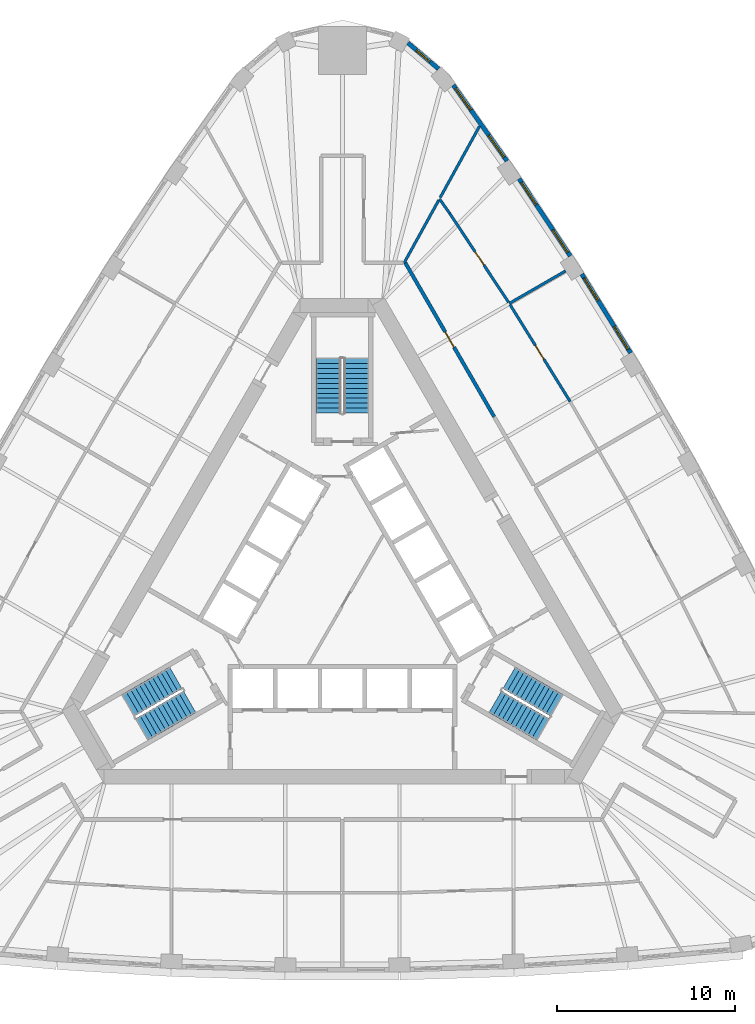
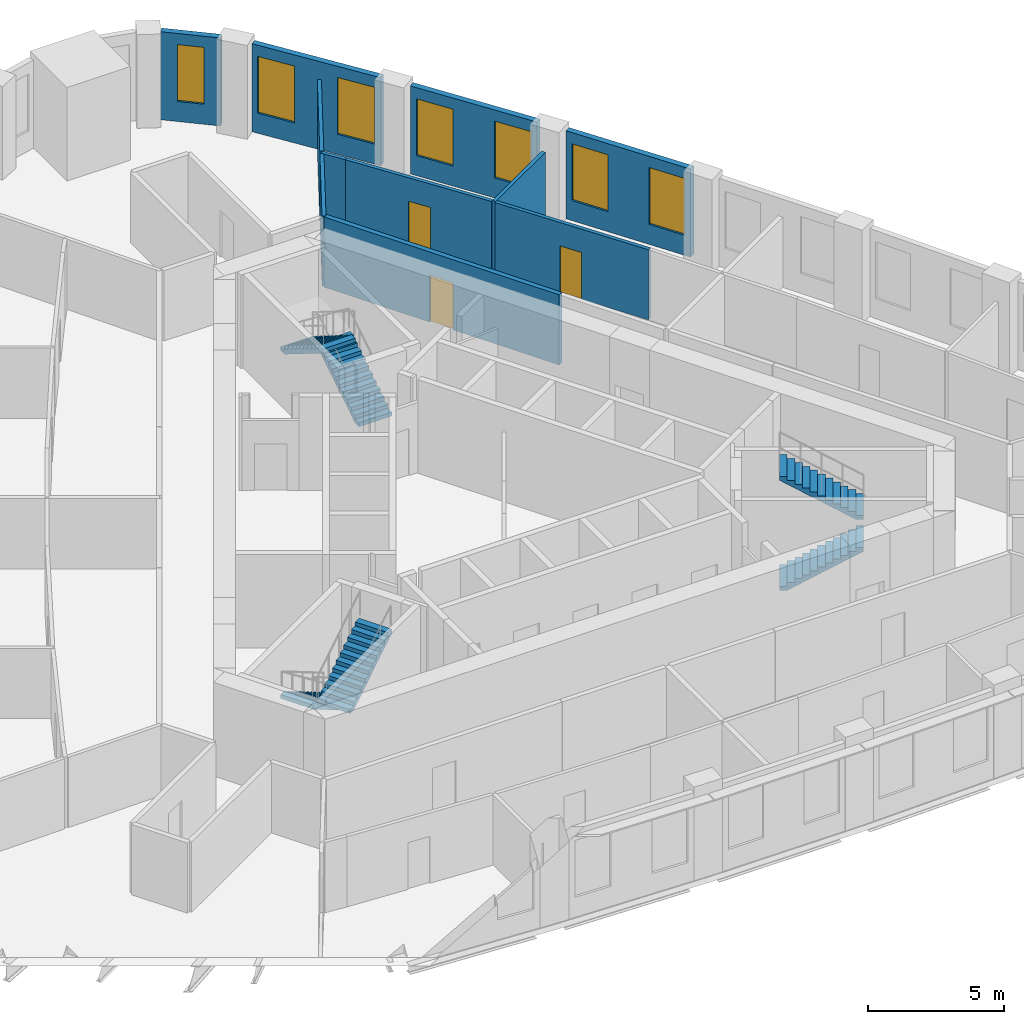
# One storey, part 9 of 10: 11 walls, 7 windows, 6 stair flights, 3 doors, 10 openings, 3 elements without a shape of their own.
"""IFC4 building model written with IfcOpenShell, lengths in metres."""

from ifc_helpers import new_model, si_unit, direction, frame, frame_2d, origin, place, context, subcontext, project, spatial, polyline, rectangle, outline, extrude, material, layer, layer_set, type_object, element, fill, aggregate, save


model = new_model("IFC4")

# Units and contexts
model_context = context("Model", 3, precision=1e-05, world=origin(), true_north=direction((0.0, 1.0)))
body_context = subcontext(model_context, "Body", "Model", "MODEL_VIEW")
ifc_project = project(units=[si_unit("LENGTHUNIT", "METRE"), si_unit("AREAUNIT", "SQUARE_METRE"), si_unit("VOLUMEUNIT", "CUBIC_METRE"), si_unit("PLANEANGLEUNIT", "RADIAN"), si_unit("MASSUNIT", "GRAM", prefix="KILO")], contexts=[model_context])

# Site, building, storey
site_placement = place(None, origin())
site = spatial("IfcSite", under=ifc_project, at=site_placement, CompositionType="ELEMENT")
building_placement = place(site_placement, origin())
building = spatial("IfcBuilding", under=site, at=building_placement, Name="Mestral Congress Tower", CompositionType="ELEMENT")
storey_placement = place(building_placement, frame((0.0, 0.0, 154.199951171875)))
storey = spatial("IfcBuildingStorey", under=building, at=storey_placement, Name="L36", CompositionType="ELEMENT", Elevation=154.199951171875)

# Wall, openings, windows
ifc_material_1 = material(Name="Precast concrete C40/50 with limestone facing", Category="masonry")
ifc_layer_1 = layer(ifc_material_1, 0.239990234375)
ifc_layer_set_1 = layer_set([ifc_layer_1], Name="Precast concrete C40/50 with limestone facing")
wall_type_1 = type_object("IfcWallType", Name="Facade stone wall 240", PredefinedType="SOLIDWALL", material=ifc_layer_set_1)
wall_1_placement = place(storey_placement, frame((16.170654296875, 13.731201171875, 0.0), z_axis=(0.0, 0.0, 1.0), x_axis=(-0.526197926587, 0.850362124072, 0.0)))
wall_1 = element("IfcWall", 1, at=wall_1_placement, inside=storey, type_object=wall_type_1, Name="Facade wall F1-04", PredefinedType="SOLIDWALL", context=body_context, shape_type="SweptSolid", body=[
    extrude(rectangle(XDim=5.203369140625, YDim=0.239990234375, at=frame_2d((2.6015625, 0.0))), origin(), (0.0, 0.0, 1.0), 3.949951171875),
])
opening_1_placement = place(wall_1_placement, frame((0.248291015625, 0.0, 0.89990234375)))
opening_1 = element("IfcOpeningElement", 2, at=opening_1_placement, cuts=wall_1, Name="Opening W4", PredefinedType="OPENING", context=body_context, shape_type="SweptSolid", body=[
    extrude(rectangle(XDim=1.5, YDim=2.550048828125, at=frame_2d((0.75, 1.27490234375))), frame((0.0, 0.1298828125, 0.0), z_axis=(0.0, -1.0, 0.0), x_axis=(1.0, 0.0, 0.0)), (0.0, 0.0, 1.0), 0.260009765625),
])
opening_2_placement = place(wall_1_placement, frame((3.455078125, 0.0, 0.89990234375)))
opening_2 = element("IfcOpeningElement", 3, at=opening_2_placement, cuts=wall_1, Name="Opening W4", PredefinedType="OPENING", context=body_context, shape_type="SweptSolid", body=[
    extrude(rectangle(XDim=1.5, YDim=2.550048828125, at=frame_2d((0.75, 1.27490234375))), frame((0.0, 0.1298828125, 0.0), z_axis=(0.0, -1.0, 0.0), x_axis=(1.0, 0.0, 0.0)), (0.0, 0.0, 1.0), 0.260009765625),
])
ifc_material_2 = material(Name="Clear low-emissivity double glazing", Category="glass")
window_type_1 = type_object("IfcWindowType", Name="Facade punched window 1500 x 2550 sill 900", PartitioningType="SINGLE_PANEL", PredefinedType="WINDOW", material=ifc_material_2)
window_1_placement = place(opening_1_placement, origin())
window_1 = element("IfcWindow", 4, at=window_1_placement, inside=storey, type_object=window_type_1, Name="Window F1-04a", OverallHeight=2.550048828125, OverallWidth=1.5, PartitioningType="SINGLE_PANEL", PredefinedType="WINDOW", context=body_context, shape_type="SweptSolid", body=[
    extrude(rectangle(XDim=1.5, YDim=2.550048828125, at=frame_2d((0.75, 1.27490234375))), frame((0.0, 0.0400390625, 0.0), z_axis=(0.0, -1.0, 0.0), x_axis=(1.0, 0.0, 0.0)), (0.0, 0.0, 1.0), 0.06005859375),
])
fill(opening_1, window_1)
window_2_placement = place(opening_2_placement, origin())
window_2 = element("IfcWindow", 5, at=window_2_placement, inside=storey, type_object=window_type_1, Name="Window F1-04b", OverallHeight=2.550048828125, OverallWidth=1.5, PartitioningType="SINGLE_PANEL", PredefinedType="WINDOW", context=body_context, shape_type="SweptSolid", body=[
    extrude(rectangle(XDim=1.5, YDim=2.550048828125, at=frame_2d((0.75, 1.27490234375))), frame((0.0, 0.0400390625, 0.0), z_axis=(0.0, -1.0, 0.0), x_axis=(1.0, 0.0, 0.0)), (0.0, 0.0, 1.0), 0.06005859375),
])
fill(opening_2, window_2)

wall_2_placement = place(storey_placement, frame((12.783203125, 19.170654296875, 0.0), z_axis=(0.0, 0.0, 1.0), x_axis=(-0.551892811511, 0.833915058386, 0.0)))
wall_2 = element("IfcWall", 6, at=wall_2_placement, inside=storey, type_object=wall_type_1, Name="Facade wall F1-05", PredefinedType="SOLIDWALL", context=body_context, shape_type="SweptSolid", body=[
    extrude(rectangle(XDim=5.20361328125, YDim=0.239990234375, at=frame_2d((2.601806640625, 0.0))), origin(), (0.0, 0.0, 1.0), 3.949951171875),
])
opening_3_placement = place(wall_2_placement, frame((0.248291015625, 0.0, 0.89990234375)))
opening_3 = element("IfcOpeningElement", 7, at=opening_3_placement, cuts=wall_2, Name="Opening W4", PredefinedType="OPENING", context=body_context, shape_type="SweptSolid", body=[
    extrude(rectangle(XDim=1.5, YDim=2.550048828125, at=frame_2d((0.75, 1.27490234375))), frame((0.0, 0.1298828125, 0.0), z_axis=(0.0, -1.0, 0.0), x_axis=(1.0, 0.0, 0.0)), (0.0, 0.0, 1.0), 0.260009765625),
])
opening_4_placement = place(wall_2_placement, frame((3.455078125, 0.0, 0.89990234375)))
opening_4 = element("IfcOpeningElement", 8, at=opening_4_placement, cuts=wall_2, Name="Opening W4", PredefinedType="OPENING", context=body_context, shape_type="SweptSolid", body=[
    extrude(rectangle(XDim=1.5, YDim=2.550048828125, at=frame_2d((0.75, 1.27490234375))), frame((0.0, 0.1298828125, 0.0), z_axis=(0.0, -1.0, 0.0), x_axis=(1.0, 0.0, 0.0)), (0.0, 0.0, 1.0), 0.260009765625),
])
window_3_placement = place(opening_3_placement, origin())
window_3 = element("IfcWindow", 9, at=window_3_placement, inside=storey, type_object=window_type_1, Name="Window F1-05a", OverallHeight=2.550048828125, OverallWidth=1.5, PartitioningType="SINGLE_PANEL", PredefinedType="WINDOW", context=body_context, shape_type="SweptSolid", body=[
    extrude(rectangle(XDim=1.5, YDim=2.550048828125, at=frame_2d((0.75, 1.27490234375))), frame((0.0, 0.0400390625, 0.0), z_axis=(0.0, -1.0, 0.0), x_axis=(1.0, 0.0, 0.0)), (0.0, 0.0, 1.0), 0.06005859375),
])
fill(opening_3, window_3)
window_4_placement = place(opening_4_placement, origin())
window_4 = element("IfcWindow", 10, at=window_4_placement, inside=storey, type_object=window_type_1, Name="Window F1-05b", OverallHeight=2.550048828125, OverallWidth=1.5, PartitioningType="SINGLE_PANEL", PredefinedType="WINDOW", context=body_context, shape_type="SweptSolid", body=[
    extrude(rectangle(XDim=1.5, YDim=2.550048828125, at=frame_2d((0.75, 1.27490234375))), frame((0.0, 0.0400390625, 0.0), z_axis=(0.0, -1.0, 0.0), x_axis=(1.0, 0.0, 0.0)), (0.0, 0.0, 1.0), 0.06005859375),
])
fill(opening_4, window_4)

wall_3_placement = place(storey_placement, frame((9.231201171875, 24.50439453125, 0.0), z_axis=(0.0, 0.0, 1.0), x_axis=(-0.577115207679, 0.816662743772, 0.0)))
wall_3 = element("IfcWall", 11, at=wall_3_placement, inside=storey, type_object=wall_type_1, Name="Facade wall F1-06", PredefinedType="SOLIDWALL", context=body_context, shape_type="SweptSolid", body=[
    extrude(rectangle(XDim=5.213134765625, YDim=0.239990234375, at=frame_2d((2.6064453125, 0.0))), origin(), (0.0, 0.0, 1.0), 3.949951171875),
])
opening_5_placement = place(wall_3_placement, frame((0.2607421875, 0.0, 0.89990234375)))
opening_5 = element("IfcOpeningElement", 12, at=opening_5_placement, cuts=wall_3, Name="Opening W4", PredefinedType="OPENING", context=body_context, shape_type="SweptSolid", body=[
    extrude(rectangle(XDim=1.5, YDim=2.550048828125, at=frame_2d((0.75, 1.27490234375))), frame((0.0, 0.1298828125, 0.0), z_axis=(0.0, -1.0, 0.0), x_axis=(1.0, 0.0, 0.0)), (0.0, 0.0, 1.0), 0.260009765625),
])
opening_6_placement = place(wall_3_placement, frame((3.492431640625, 0.0, 0.89990234375)))
opening_6 = element("IfcOpeningElement", 13, at=opening_6_placement, cuts=wall_3, Name="Opening W4", PredefinedType="OPENING", context=body_context, shape_type="SweptSolid", body=[
    extrude(rectangle(XDim=1.5, YDim=2.550048828125, at=frame_2d((0.75, 1.27490234375))), frame((0.0, 0.1298828125, 0.0), z_axis=(0.0, -1.0, 0.0), x_axis=(1.0, 0.0, 0.0)), (0.0, 0.0, 1.0), 0.260009765625),
])
window_5_placement = place(opening_5_placement, origin())
window_5 = element("IfcWindow", 14, at=window_5_placement, inside=storey, type_object=window_type_1, Name="Window F1-06a", OverallHeight=2.550048828125, OverallWidth=1.5, PartitioningType="SINGLE_PANEL", PredefinedType="WINDOW", context=body_context, shape_type="SweptSolid", body=[
    extrude(rectangle(XDim=1.5, YDim=2.550048828125, at=frame_2d((0.75, 1.27490234375))), frame((0.0, 0.0400390625, 0.0), z_axis=(0.0, -1.0, 0.0), x_axis=(1.0, 0.0, 0.0)), (0.0, 0.0, 1.0), 0.06005859375),
])
fill(opening_5, window_5)
window_6_placement = place(opening_6_placement, origin())
window_6 = element("IfcWindow", 15, at=window_6_placement, inside=storey, type_object=window_type_1, Name="Window F1-06b", OverallHeight=2.550048828125, OverallWidth=1.5, PartitioningType="SINGLE_PANEL", PredefinedType="WINDOW", context=body_context, shape_type="SweptSolid", body=[
    extrude(rectangle(XDim=1.5, YDim=2.550048828125, at=frame_2d((0.75, 1.27490234375))), frame((0.0, 0.0400390625, 0.0), z_axis=(0.0, -1.0, 0.0), x_axis=(1.0, 0.0, 0.0)), (0.0, 0.0, 1.0), 0.06005859375),
])
fill(opening_6, window_6)

# Wall, opening, window
wall_4_placement = place(storey_placement, frame((5.3916015625, 29.672119140625, 0.0), z_axis=(0.0, 0.0, 1.0), x_axis=(-0.761419744247, 0.648259186645, 0.0)))
wall_4 = element("IfcWall", 16, at=wall_4_placement, inside=storey, type_object=wall_type_1, Name="Facade wall K1-0", PredefinedType="SOLIDWALL", context=body_context, shape_type="SweptSolid", body=[
    extrude(rectangle(XDim=2.250244140625, YDim=0.239990234375, at=frame_2d((1.125, 0.0))), origin(), (0.0, 0.0, 1.0), 3.949951171875),
])
opening_7_placement = place(wall_4_placement, frame((0.625244140625, 0.0, 0.89990234375)))
opening_7 = element("IfcOpeningElement", 17, at=opening_7_placement, cuts=wall_4, Name="Opening W5", PredefinedType="OPENING", context=body_context, shape_type="SweptSolid", body=[
    extrude(rectangle(XDim=1.0, YDim=2.550048828125, at=frame_2d((0.5, 1.27490234375))), frame((0.0, 0.1298828125, 0.0), z_axis=(0.0, -1.0, 0.0), x_axis=(1.0, 0.0, 0.0)), (0.0, 0.0, 1.0), 0.260009765625),
])
window_type_2 = type_object("IfcWindowType", Name="Facade punched window 1000 x 2550 sill 900", PartitioningType="SINGLE_PANEL", PredefinedType="WINDOW", material=ifc_material_2)
window_7_placement = place(opening_7_placement, origin())
window_7 = element("IfcWindow", 18, at=window_7_placement, inside=storey, type_object=window_type_2, Name="Window K1-0", OverallHeight=2.550048828125, OverallWidth=1.0, PartitioningType="SINGLE_PANEL", PredefinedType="WINDOW", context=body_context, shape_type="SweptSolid", body=[
    extrude(rectangle(XDim=1.0, YDim=2.550048828125, at=frame_2d((0.5, 1.27490234375))), frame((0.0, 0.0400390625, 0.0), z_axis=(0.0, -1.0, 0.0), x_axis=(1.0, 0.0, 0.0)), (0.0, 0.0, 1.0), 0.06005859375),
])
fill(opening_7, window_7)

# Wall
ifc_material_3 = material(Name="Plasterboard partition on steel studs", Category="steel")
ifc_layer_2 = layer(ifc_material_3, 0.14990234375)
ifc_layer_set_2 = layer_set([ifc_layer_2], Name="Plasterboard partition on steel studs")
wall_type_2 = type_object("IfcWallType", Name="Office partition 150", PredefinedType="PARTITIONING", material=ifc_layer_set_2)
wall_5_placement = place(storey_placement, frame((9.363037109375, 16.5107421875, 0.0), z_axis=(0.0, 0.0, 1.0), x_axis=(0.866006134298, 0.500033374244, 0.0)))
element("IfcWall", 19, at=wall_5_placement, inside=storey, type_object=wall_type_2, Name="Partition", PredefinedType="PARTITIONING", context=body_context, shape_type="SweptSolid", body=[
    extrude(rectangle(XDim=3.647705078125, YDim=0.14990234375, at=frame_2d((1.82373046875, 0.0))), origin(), (0.0, 0.0, 1.0), 3.150146484375),
])

# Wall, opening, door
wall_6_placement = place(storey_placement, frame((9.402587890625, 16.447021484375, 0.0), z_axis=(0.0, 0.0, 1.0), x_axis=(0.527026092571, -0.849849102929, 0.0)))
wall_6 = element("IfcWall", 20, at=wall_6_placement, inside=storey, type_object=wall_type_2, Name="Partition", PredefinedType="PARTITIONING", context=body_context, shape_type="SweptSolid", body=[
    extrude(rectangle(XDim=6.406982421875, YDim=0.14990234375, at=frame_2d((3.20361328125, 0.0))), origin(), (0.0, 0.0, 1.0), 3.150146484375),
])
opening_8_placement = place(wall_6_placement, frame((2.707275390625, 0.0, 0.0)))
opening_8 = element("IfcOpeningElement", 21, at=opening_8_placement, cuts=wall_6, Name="Opening O02-008", PredefinedType="OPENING", context=body_context, shape_type="SweptSolid", body=[
    extrude(rectangle(XDim=0.89990234375, YDim=2.10009765625, at=frame_2d((0.449951171875, 1.050048828125))), frame((0.0, 0.0849609375, 0.0), z_axis=(0.0, -1.0, 0.0), x_axis=(1.0, 0.0, 0.0)), (0.0, 0.0, 1.0), 0.169921875),
])
ifc_material_4 = material(Name="Timber door set", Category="wood")
door_type_1 = type_object("IfcDoorType", Name="Office door 900x2100", OperationType="SINGLE_SWING_LEFT", PredefinedType="DOOR", material=ifc_material_4)
door_1_placement = place(opening_8_placement, origin())
door_1 = element("IfcDoor", 22, at=door_1_placement, inside=storey, type_object=door_type_1, Name="Door O02-008", OperationType="SINGLE_SWING_LEFT", OverallHeight=2.10009765625, OverallWidth=0.89990234375, PredefinedType="DOOR", context=body_context, shape_type="SweptSolid", body=[
    extrude(rectangle(XDim=0.89990234375, YDim=2.10009765625, at=frame_2d((0.449951171875, 1.050048828125))), frame((0.0, 0.02490234375, 0.0), z_axis=(0.0, -1.0, 0.0), x_axis=(1.0, 0.0, 0.0)), (0.0, 0.0, 1.0), 0.050048828125),
])
fill(opening_8, door_1)

wall_7_placement = place(storey_placement, frame((6.0126953125, 21.572998046875, 0.0), z_axis=(0.0, 0.0, 1.0), x_axis=(0.551906048292, -0.833906298009, 0.0)))
wall_7 = element("IfcWall", 23, at=wall_7_placement, inside=storey, type_object=wall_type_2, Name="Partition", PredefinedType="PARTITIONING", context=body_context, shape_type="SweptSolid", body=[
    extrude(rectangle(XDim=5.995361328125, YDim=0.14990234375, at=frame_2d((2.99755859375, 0.0))), origin(), (0.0, 0.0, 1.0), 3.150146484375),
])
opening_9_placement = place(wall_7_placement, frame((2.595458984375, 0.0, 0.0)))
opening_9 = element("IfcOpeningElement", 24, at=opening_9_placement, cuts=wall_7, Name="Opening O02-009", PredefinedType="OPENING", context=body_context, shape_type="SweptSolid", body=[
    extrude(rectangle(XDim=0.89990234375, YDim=2.10009765625, at=frame_2d((0.449951171875, 1.050048828125))), frame((0.0, 0.0849609375, 0.0), z_axis=(0.0, -1.0, 0.0), x_axis=(1.0, 0.0, 0.0)), (0.0, 0.0, 1.0), 0.169921875),
])
door_2_placement = place(opening_9_placement, origin())
door_2 = element("IfcDoor", 25, at=door_2_placement, inside=storey, type_object=door_type_1, Name="Door O02-009", OperationType="SINGLE_SWING_RIGHT", OverallHeight=2.10009765625, OverallWidth=0.89990234375, PredefinedType="DOOR", context=body_context, shape_type="SweptSolid", body=[
    extrude(rectangle(XDim=0.89990234375, YDim=2.10009765625, at=frame_2d((0.449951171875, 1.050048828125))), frame((0.0, 0.02490234375, 0.0), z_axis=(0.0, -1.0, 0.0), x_axis=(1.0, 0.0, 0.0)), (0.0, 0.0, 1.0), 0.050048828125),
])
fill(opening_9, door_2)

# Walls
wall_8_placement = place(storey_placement, frame((6.0126953125, 21.572998046875, 0.0), z_axis=(0.0, 0.0, 1.0), x_axis=(-0.576965221715, 0.816768714467, 0.0)))
element("IfcWall", 26, at=wall_8_placement, inside=storey, type_object=wall_type_2, Name="Partition", PredefinedType="PARTITIONING", context=body_context, shape_type="SweptSolid", body=[
    extrude(rectangle(XDim=0.985595703125, YDim=0.14990234375, at=frame_2d((0.49267578125, 0.0))), origin(), (0.0, 0.0, 1.0), 3.150146484375),
])
wall_9_placement = place(storey_placement, frame((5.484130859375, 22.450927734375, 0.0), z_axis=(0.0, 0.0, 1.0), x_axis=(0.483018213307, 0.875610304652, 0.0)))
element("IfcWall", 27, at=wall_9_placement, inside=storey, type_object=wall_type_2, Name="Partition", PredefinedType="PARTITIONING", context=body_context, shape_type="SweptSolid", body=[
    extrude(rectangle(XDim=4.58447265625, YDim=0.14990234375, at=frame_2d((2.292236328125, 0.0))), origin(), (0.0, 0.0, 1.0), 3.150146484375),
])
wall_10_placement = place(storey_placement, frame((3.470458984375, 18.800048828125, 0.0), z_axis=(0.0, 0.0, 1.0), x_axis=(0.483004783308, 0.87561771299, 0.0)))
element("IfcWall", 28, at=wall_10_placement, inside=storey, type_object=wall_type_2, Name="Partition", PredefinedType="PARTITIONING", context=body_context, shape_type="SweptSolid", body=[
    extrude(rectangle(XDim=4.002685546875, YDim=0.14990234375, at=frame_2d((2.00146484375, 0.0))), origin(), (0.0, 0.0, 1.0), 3.150146484375),
])

# Wall, opening, door
ifc_material_5 = material(Name="Dense masonry wall, plastered", Category="masonry")
ifc_layer_3 = layer(ifc_material_5, 0.199951171875)
ifc_layer_set_3 = layer_set([ifc_layer_3], Name="Dense masonry wall, plastered")
wall_type_3 = type_object("IfcWallType", Name="Office tenancy wall 200", PredefinedType="PARTITIONING", material=ifc_layer_set_3)
wall_11_placement = place(storey_placement, frame((8.514892578125, 10.151611328125, 0.0), z_axis=(0.0, 0.0, 1.0), x_axis=(-0.499998974385, 0.866025995923, 0.0)))
wall_11 = element("IfcWall", 29, at=wall_11_placement, inside=storey, type_object=wall_type_3, Name="Tenancy wall", PredefinedType="PARTITIONING", context=body_context, shape_type="SweptSolid", body=[
    extrude(rectangle(XDim=9.986328125, YDim=0.199951171875, at=frame_2d((4.9931640625, 0.0))), origin(), (0.0, 0.0, 1.0), 3.150146484375),
])
opening_10_placement = place(wall_11_placement, frame((4.5, 0.0, 0.0)))
opening_10 = element("IfcOpeningElement", 30, at=opening_10_placement, cuts=wall_11, Name="Opening O02-010", PredefinedType="OPENING", context=body_context, shape_type="SweptSolid", body=[
    extrude(rectangle(XDim=1.0, YDim=2.10009765625, at=frame_2d((0.5, 1.050048828125))), frame((0.0, 0.10986328125, 0.0), z_axis=(0.0, -1.0, 0.0), x_axis=(1.0, 0.0, 0.0)), (0.0, 0.0, 1.0), 0.219970703125),
])
ifc_material_6 = material(Name="Fire-rated timber door set", Category="wood")
door_type_2 = type_object("IfcDoorType", Name="Office tenancy entrance door 1000x2100", OperationType="SINGLE_SWING_LEFT", PredefinedType="DOOR", material=ifc_material_6)
door_3_placement = place(opening_10_placement, origin())
door_3 = element("IfcDoor", 31, at=door_3_placement, inside=storey, type_object=door_type_2, Name="Door O02-010", OperationType="SINGLE_SWING_RIGHT", OverallHeight=2.10009765625, OverallWidth=1.0, PredefinedType="DOOR", context=body_context, shape_type="SweptSolid", body=[
    extrude(rectangle(XDim=1.0, YDim=2.10009765625, at=frame_2d((0.5, 1.050048828125))), frame((0.0, 0.02490234375, 0.0), z_axis=(0.0, -1.0, 0.0), x_axis=(1.0, 0.0, 0.0)), (0.0, 0.0, 1.0), 0.050048828125),
])
fill(opening_10, door_3)

# Stair, stair flights
ifc_material_7 = material(Name="Concrete C60/75", Category="concrete")
stair_type = type_object("IfcStairType", Name="Exit stair 1400", PredefinedType="HALF_TURN_STAIR", material=ifc_material_7)
placement = place(storey_placement, origin())
stair_1 = element("IfcStair", 32, at=placement, inside=storey, type_object=stair_type, Name="L36 ST1", PredefinedType="HALF_TURN_STAIR")
stair_flight_type = type_object("IfcStairFlightType", Name="Exit stair flight 1400", PredefinedType="STRAIGHT", material=ifc_material_7)
stair_flight_1_placement = place(storey_placement, frame((8.575927734375, -5.84619140625, 0.0), z_axis=(0.0, 0.0, 1.0), x_axis=(0.866025403784, -0.5, 0.0)))
stair_flight_1 = element("IfcStairFlight", 33, at=stair_flight_1_placement, type_object=stair_flight_type, Name="ST1 flight 1", NumberOfRisers=12, NumberOfTreads=11, PredefinedType="STRAIGHT", RiserHeight=0.175, TreadLength=0.28, context=body_context, shape_type="SweptSolid", body=[
    extrude(outline(polyline([(0.0, 0.0), (0.0, 0.175048828125), (0.280029296875, 0.175048828125), (0.280029296875, 0.35009765625), (0.56005859375, 0.35009765625), (0.56005859375, 0.52490234375), (0.840087890625, 0.52490234375), (0.840087890625, 0.699951171875), (1.1201171875, 0.699951171875), (1.1201171875, 0.875), (1.39990234375, 0.875), (1.39990234375, 1.050048828125), (1.679931640625, 1.050048828125), (1.679931640625, 1.22509765625), (1.9599609375, 1.22509765625), (1.9599609375, 1.39990234375), (2.239990234375, 1.39990234375), (2.239990234375, 1.574951171875), (2.52001953125, 1.574951171875), (2.52001953125, 1.75), (2.800048828125, 1.75), (2.800048828125, 1.925048828125), (3.080078125, 1.925048828125), (3.080078125, 2.10009765625), (3.080078125, 1.748291015625), (0.28271484375, 0.0), (0.0, 0.0)])), frame((0.0, 0.699951171875, 0.0), z_axis=(0.0, -1.0, 0.0), x_axis=(1.0, 0.0, 0.0)), (0.0, 0.0, 1.0), 1.39990234375),
])
stair_flight_2_placement = place(storey_placement, frame((12.018310546875, -6.0439453125, 2.10009765625), z_axis=(0.0, 0.0, 1.0), x_axis=(-0.866025403784, 0.5, 0.0)))
stair_flight_2 = element("IfcStairFlight", 34, at=stair_flight_2_placement, type_object=stair_flight_type, Name="ST1 flight 2", NumberOfRisers=12, NumberOfTreads=11, PredefinedType="STRAIGHT", RiserHeight=0.175, TreadLength=0.28, context=body_context, shape_type="SweptSolid", body=[
    extrude(outline(polyline([(0.0, 0.0), (0.0, 0.175048828125), (0.280029296875, 0.175048828125), (0.280029296875, 0.35009765625), (0.56005859375, 0.35009765625), (0.56005859375, 0.52490234375), (0.840087890625, 0.52490234375), (0.840087890625, 0.699951171875), (1.1201171875, 0.699951171875), (1.1201171875, 0.875), (1.39990234375, 0.875), (1.39990234375, 1.050048828125), (1.679931640625, 1.050048828125), (1.679931640625, 1.22509765625), (1.9599609375, 1.22509765625), (1.9599609375, 1.39990234375), (2.239990234375, 1.39990234375), (2.239990234375, 1.574951171875), (2.52001953125, 1.574951171875), (2.52001953125, 1.75), (2.800048828125, 1.75), (2.800048828125, 1.925048828125), (3.080078125, 1.925048828125), (3.080078125, 2.10009765625), (3.080078125, 1.748291015625), (0.28271484375, 0.0), (0.0, 0.0)])), frame((0.0, 0.699951171875, 0.0), z_axis=(0.0, -1.0, 0.0), x_axis=(1.0, 0.0, 0.0)), (0.0, 0.0, 1.0), 1.39990234375),
])
aggregate(stair_1, [stair_flight_1, stair_flight_2])

stair_2 = element("IfcStair", 35, at=placement, inside=storey, type_object=stair_type, Name="L36 ST2", PredefinedType="HALF_TURN_STAIR")
stair_flight_3_placement = place(storey_placement, frame((0.77490234375, 10.35009765625, 0.0), z_axis=(0.0, 0.0, 1.0), x_axis=(0.0, 1.0, 0.0)))
stair_flight_3 = element("IfcStairFlight", 36, at=stair_flight_3_placement, type_object=stair_flight_type, Name="ST2 flight 1", NumberOfRisers=12, NumberOfTreads=11, PredefinedType="STRAIGHT", RiserHeight=0.175, TreadLength=0.28, context=body_context, shape_type="SweptSolid", body=[
    extrude(outline(polyline([(0.0, 0.0), (0.0, 0.175048828125), (0.280029296875, 0.175048828125), (0.280029296875, 0.35009765625), (0.56005859375, 0.35009765625), (0.56005859375, 0.52490234375), (0.840087890625, 0.52490234375), (0.840087890625, 0.699951171875), (1.1201171875, 0.699951171875), (1.1201171875, 0.875), (1.39990234375, 0.875), (1.39990234375, 1.050048828125), (1.679931640625, 1.050048828125), (1.679931640625, 1.22509765625), (1.9599609375, 1.22509765625), (1.9599609375, 1.39990234375), (2.239990234375, 1.39990234375), (2.239990234375, 1.574951171875), (2.52001953125, 1.574951171875), (2.52001953125, 1.75), (2.800048828125, 1.75), (2.800048828125, 1.925048828125), (3.080078125, 1.925048828125), (3.080078125, 2.10009765625), (3.080078125, 1.748291015625), (0.28271484375, 0.0), (0.0, 0.0)])), frame((0.0, 0.699951171875, 0.0), z_axis=(0.0, -1.0, 0.0), x_axis=(1.0, 0.0, 0.0)), (0.0, 0.0, 1.0), 1.39990234375),
])
stair_flight_4_placement = place(storey_placement, frame((-0.77490234375, 13.429931640625, 2.10009765625), z_axis=(0.0, 0.0, 1.0), x_axis=(0.0, -1.0, 0.0)))
stair_flight_4 = element("IfcStairFlight", 37, at=stair_flight_4_placement, type_object=stair_flight_type, Name="ST2 flight 2", NumberOfRisers=12, NumberOfTreads=11, PredefinedType="STRAIGHT", RiserHeight=0.175, TreadLength=0.28, context=body_context, shape_type="SweptSolid", body=[
    extrude(outline(polyline([(0.0, 0.0), (0.0, 0.175048828125), (0.280029296875, 0.175048828125), (0.280029296875, 0.35009765625), (0.56005859375, 0.35009765625), (0.56005859375, 0.52490234375), (0.840087890625, 0.52490234375), (0.840087890625, 0.699951171875), (1.1201171875, 0.699951171875), (1.1201171875, 0.875), (1.39990234375, 0.875), (1.39990234375, 1.050048828125), (1.679931640625, 1.050048828125), (1.679931640625, 1.22509765625), (1.9599609375, 1.22509765625), (1.9599609375, 1.39990234375), (2.239990234375, 1.39990234375), (2.239990234375, 1.574951171875), (2.52001953125, 1.574951171875), (2.52001953125, 1.75), (2.800048828125, 1.75), (2.800048828125, 1.925048828125), (3.080078125, 1.925048828125), (3.080078125, 2.10009765625), (3.080078125, 1.748291015625), (0.28271484375, 0.0), (0.0, 0.0)])), frame((0.0, 0.699951171875, 0.0), z_axis=(0.0, -1.0, 0.0), x_axis=(1.0, 0.0, 0.0)), (0.0, 0.0, 1.0), 1.39990234375),
])
aggregate(stair_2, [stair_flight_3, stair_flight_4])

stair_3 = element("IfcStair", 38, at=placement, inside=storey, type_object=stair_type, Name="L36 ST3", PredefinedType="HALF_TURN_STAIR")
stair_flight_5_placement = place(storey_placement, frame((-9.350830078125, -4.50390625, 0.0), z_axis=(0.0, 0.0, 1.0), x_axis=(-0.866025403784, -0.5, 0.0)))
stair_flight_5 = element("IfcStairFlight", 39, at=stair_flight_5_placement, type_object=stair_flight_type, Name="ST3 flight 1", NumberOfRisers=12, NumberOfTreads=11, PredefinedType="STRAIGHT", RiserHeight=0.175, TreadLength=0.28, context=body_context, shape_type="SweptSolid", body=[
    extrude(outline(polyline([(0.0, 0.0), (0.0, 0.175048828125), (0.280029296875, 0.175048828125), (0.280029296875, 0.35009765625), (0.56005859375, 0.35009765625), (0.56005859375, 0.52490234375), (0.840087890625, 0.52490234375), (0.840087890625, 0.699951171875), (1.1201171875, 0.699951171875), (1.1201171875, 0.875), (1.39990234375, 0.875), (1.39990234375, 1.050048828125), (1.679931640625, 1.050048828125), (1.679931640625, 1.22509765625), (1.9599609375, 1.22509765625), (1.9599609375, 1.39990234375), (2.239990234375, 1.39990234375), (2.239990234375, 1.574951171875), (2.52001953125, 1.574951171875), (2.52001953125, 1.75), (2.800048828125, 1.75), (2.800048828125, 1.925048828125), (3.080078125, 1.925048828125), (3.080078125, 2.10009765625), (3.080078125, 1.748291015625), (0.28271484375, 0.0), (0.0, 0.0)])), frame((0.0, 0.699951171875, 0.0), z_axis=(0.0, -1.0, 0.0), x_axis=(1.0, 0.0, 0.0)), (0.0, 0.0, 1.0), 1.39990234375),
])
stair_flight_6_placement = place(storey_placement, frame((-11.2431640625, -7.38623046875, 2.10009765625), z_axis=(0.0, 0.0, 1.0), x_axis=(0.866025403784, 0.5, 0.0)))
stair_flight_6 = element("IfcStairFlight", 40, at=stair_flight_6_placement, type_object=stair_flight_type, Name="ST3 flight 2", NumberOfRisers=12, NumberOfTreads=11, PredefinedType="STRAIGHT", RiserHeight=0.175, TreadLength=0.28, context=body_context, shape_type="SweptSolid", body=[
    extrude(outline(polyline([(0.0, 0.0), (0.0, 0.175048828125), (0.280029296875, 0.175048828125), (0.280029296875, 0.35009765625), (0.56005859375, 0.35009765625), (0.56005859375, 0.52490234375), (0.840087890625, 0.52490234375), (0.840087890625, 0.699951171875), (1.1201171875, 0.699951171875), (1.1201171875, 0.875), (1.39990234375, 0.875), (1.39990234375, 1.050048828125), (1.679931640625, 1.050048828125), (1.679931640625, 1.22509765625), (1.9599609375, 1.22509765625), (1.9599609375, 1.39990234375), (2.239990234375, 1.39990234375), (2.239990234375, 1.574951171875), (2.52001953125, 1.574951171875), (2.52001953125, 1.75), (2.800048828125, 1.75), (2.800048828125, 1.925048828125), (3.080078125, 1.925048828125), (3.080078125, 2.10009765625), (3.080078125, 1.748291015625), (0.28271484375, 0.0), (0.0, 0.0)])), frame((0.0, 0.699951171875, 0.0), z_axis=(0.0, -1.0, 0.0), x_axis=(1.0, 0.0, 0.0)), (0.0, 0.0, 1.0), 1.39990234375),
])
aggregate(stair_3, [stair_flight_5, stair_flight_6])

save(model, "model.ifc")
